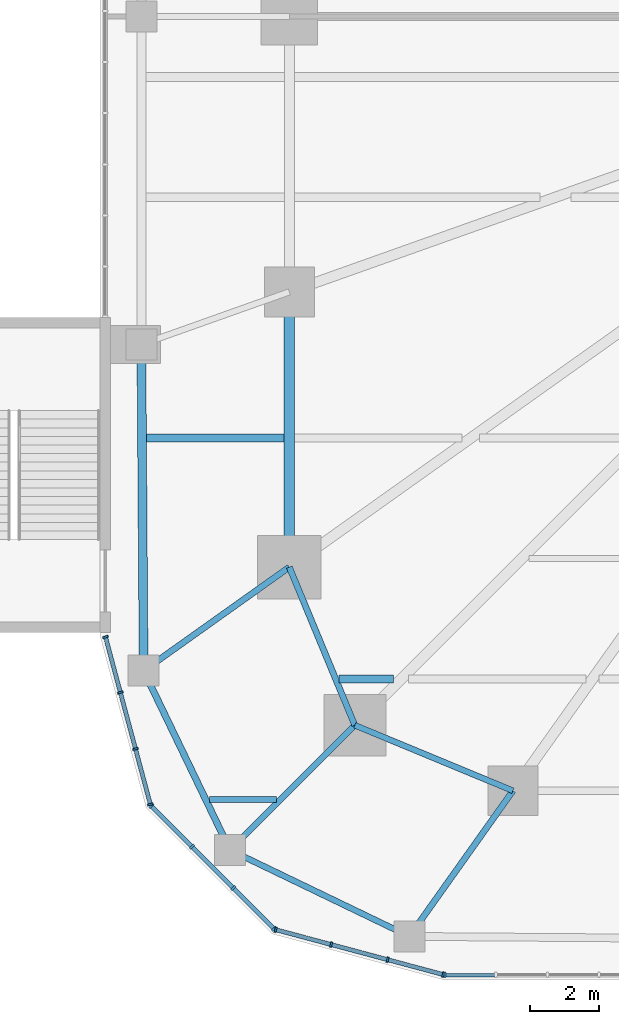
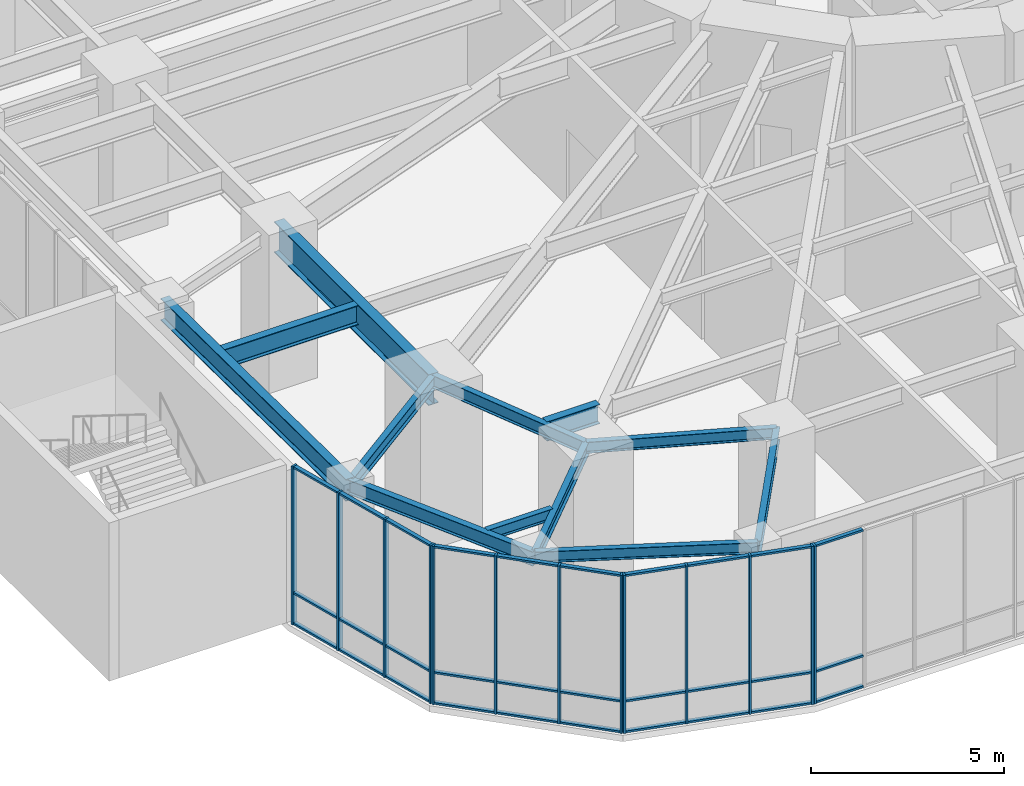
# One storey, part 2 of 24: 43 members, 12 beams, 4 elements without a shape of their own.
"""IFC4 building model written with IfcOpenShell, lengths in metres."""

from ifc_helpers import new_model, si_unit, direction, frame, origin, origin_2d, place, context, subcontext, project, spatial, rectangle, i_section, extrude, material, material_profile, profile_set, type_object, element, aggregate, save


model = new_model("IFC4")

# Units and contexts
model_context = context("Model", 3, precision=1e-05, world=origin(), true_north=direction((0.0, 1.0)))
body_context = subcontext(model_context, "Body", "Model", "MODEL_VIEW")
ifc_project = project(units=[si_unit("LENGTHUNIT", "METRE"), si_unit("AREAUNIT", "SQUARE_METRE"), si_unit("VOLUMEUNIT", "CUBIC_METRE"), si_unit("PLANEANGLEUNIT", "RADIAN"), si_unit("MASSUNIT", "GRAM", prefix="KILO")], contexts=[model_context])

# Site, building, storey
site_placement = place(None, origin())
site = spatial("IfcSite", under=ifc_project, at=site_placement, CompositionType="ELEMENT")
building_placement = place(site_placement, origin())
building = spatial("IfcBuilding", under=site, at=building_placement, Name="Nakasero Lantern House", CompositionType="ELEMENT")
storey_placement = place(building_placement, frame((0.0, 0.0, 6.0)))
storey = spatial("IfcBuildingStorey", under=building, at=storey_placement, Name="L01", CompositionType="ELEMENT", Elevation=6.0)

# Beams
ifc_material_1 = material(Name="Steel S355", Category="steel")
ifc_material_profile_1 = material_profile(ifc_material_1, i_section(OverallWidth=0.17138671875, OverallDepth=0.35498046875, WebThickness=0.00732421875, FlangeThickness=0.011474609375, FilletRadius=0.01025390625, at=origin_2d()), Name="UB 356x171x51")
ifc_profile_set_1 = profile_set([ifc_material_profile_1], Name="Steel S355")
beam_type_1 = type_object("IfcBeamType", Name="Infill beam UB 356x171x51", PredefinedType="JOIST", material=ifc_profile_set_1)
beam_1_placement = place(storey_placement, frame((-24.82666015625, -22.75, 4.62255859375), z_axis=(1.0, 0.0, 0.0), x_axis=(0.0, 1.0, 0.0)))
element("IfcBeam", 1, at=beam_1_placement, inside=storey, type_object=beam_type_1, Name="Infill beam L02 02.1", PredefinedType="JOIST", context=body_context, shape_type="SweptSolid", body=[
    extrude(i_section(OverallWidth=0.17138671875, OverallDepth=0.35498046875, WebThickness=0.00732421875, FlangeThickness=0.011474609375, FilletRadius=0.01025390625, at=origin_2d()), origin(), (0.0, 0.0, 1.0), 1.950927734375),
])
ifc_material_2 = material(Name="Steel S355", Category="steel")
ifc_material_profile_2 = material_profile(ifc_material_2, i_section(OverallWidth=0.22900390625, OverallDepth=0.6123046875, WebThickness=0.011962890625, FlangeThickness=0.01953125, FilletRadius=0.0126953125, at=origin_2d()), Name="UB 610x229x125")
ifc_profile_set_2 = profile_set([ifc_material_profile_2], Name="Steel S355")
beam_type_2 = type_object("IfcBeamType", Name="Infill beam UB 610x229x125", PredefinedType="JOIST", material=ifc_profile_set_2)
beam_2_placement = place(storey_placement, frame((-21.0576171875, -19.25, 4.493896484375), z_axis=(1.0, 0.0, 0.0), x_axis=(0.0, 1.0, 0.0)))
element("IfcBeam", 2, at=beam_2_placement, inside=storey, type_object=beam_type_2, Name="Infill beam L02 03.1", PredefinedType="JOIST", context=body_context, shape_type="SweptSolid", body=[
    extrude(i_section(OverallWidth=0.22900390625, OverallDepth=0.6123046875, WebThickness=0.011962890625, FlangeThickness=0.01953125, FilletRadius=0.0126953125, at=origin_2d()), origin(), (0.0, 0.0, 1.0), 1.591552734375),
])
beam_3_placement = place(storey_placement, frame((-26.653076171875, -12.25, 4.493896484375), z_axis=(1.0, 0.0, 0.0), x_axis=(0.0, 1.0, 0.0)))
element("IfcBeam", 3, at=beam_3_placement, inside=storey, type_object=beam_type_2, Name="Infill beam L02 05.1", PredefinedType="JOIST", context=body_context, shape_type="SweptSolid", body=[
    extrude(i_section(OverallWidth=0.22900390625, OverallDepth=0.6123046875, WebThickness=0.011962890625, FlangeThickness=0.01953125, FilletRadius=0.0126953125, at=origin_2d()), origin(), (0.0, 0.0, 1.0), 4.003173828125),
])

# Curtain wall, members
ifc_material_3 = material(Name="Aluminium 6063-T6 and glass", Category="aluminium")
curtain_wall_type = type_object("IfcCurtainWallType", Name="Podium curtain wall CW-2", PredefinedType="USERDEFINED", material=ifc_material_3)
curtain_wall_1_placement = place(storey_placement, origin())
curtain_wall_1 = element("IfcCurtainWall", 4, at=curtain_wall_1_placement, inside=storey, type_object=curtain_wall_type, Name="Curtain wall CW-2 L01", ObjectType="STICK CURTAIN WALL", PredefinedType="USERDEFINED")
ifc_material_4 = material(Name="Aluminium 6063-T6", Category="aluminium")
ifc_material_profile_3 = material_profile(ifc_material_4, rectangle(XDim=0.06005859375, YDim=0.159912109375, at=origin_2d()), Name="CW-2 mullion 60x160")
ifc_profile_set_3 = profile_set([ifc_material_profile_3], Name="Aluminium 6063-T6")
member_type_1 = type_object("IfcMemberType", Name="Mullion CW-2", PredefinedType="MULLION", material=ifc_profile_set_3)
member_1_placement = place(storey_placement, frame((-27.84228515625, -18.029052734375, 0.0), z_axis=(0.0, 0.0, 1.0), x_axis=(0.258819045103, -0.965925826289, 0.0)))
member_1 = element("IfcMember", 5, at=member_1_placement, type_object=member_type_1, Name="CW-2 mullion 1", PredefinedType="MULLION", context=body_context, shape_type="SweptSolid", body=[
    extrude(rectangle(XDim=0.06005859375, YDim=0.159912109375, at=origin_2d()), origin(), (0.0, 0.0, 1.0), 5.0),
])
member_2_placement = place(storey_placement, frame((-27.41015625, -19.6416015625, 0.0), z_axis=(0.0, 0.0, 1.0), x_axis=(0.258819045103, -0.965925826289, 0.0)))
member_2 = element("IfcMember", 6, at=member_2_placement, type_object=member_type_1, Name="CW-2 mullion 2", PredefinedType="MULLION", context=body_context, shape_type="SweptSolid", body=[
    extrude(rectangle(XDim=0.06005859375, YDim=0.159912109375, at=origin_2d()), origin(), (0.0, 0.0, 1.0), 5.0),
])
member_3_placement = place(storey_placement, frame((-26.97021484375, -21.283447265625, 0.0), z_axis=(0.0, 0.0, 1.0), x_axis=(0.258819045103, -0.965925826289, 0.0)))
member_3 = element("IfcMember", 7, at=member_3_placement, type_object=member_type_1, Name="CW-2 mullion 3", PredefinedType="MULLION", context=body_context, shape_type="SweptSolid", body=[
    extrude(rectangle(XDim=0.06005859375, YDim=0.159912109375, at=origin_2d()), origin(), (0.0, 0.0, 1.0), 5.0),
])
member_4_placement = place(storey_placement, frame((-26.5380859375, -22.89599609375, 0.0), z_axis=(0.0, 0.0, 1.0), x_axis=(0.258819045103, -0.965925826289, 0.0)))
member_4 = element("IfcMember", 8, at=member_4_placement, type_object=member_type_1, Name="CW-2 mullion 4", PredefinedType="MULLION", context=body_context, shape_type="SweptSolid", body=[
    extrude(rectangle(XDim=0.06005859375, YDim=0.159912109375, at=origin_2d()), origin(), (0.0, 0.0, 1.0), 5.0),
])

curtain_wall_2_placement = place(storey_placement, origin())
curtain_wall_2 = element("IfcCurtainWall", 9, at=curtain_wall_2_placement, inside=storey, type_object=curtain_wall_type, Name="Curtain wall CW-2 L01", ObjectType="STICK CURTAIN WALL", PredefinedType="USERDEFINED")
member_5_placement = place(storey_placement, frame((-26.509033203125, -22.9462890625, 0.0), z_axis=(0.0, 0.0, 1.0), x_axis=(0.707106781187, -0.707106781187, 0.0)))
member_5 = element("IfcMember", 10, at=member_5_placement, type_object=member_type_1, Name="CW-2 mullion 1", PredefinedType="MULLION", context=body_context, shape_type="SweptSolid", body=[
    extrude(rectangle(XDim=0.06005859375, YDim=0.159912109375, at=origin_2d()), origin(), (0.0, 0.0, 1.0), 5.0),
])
member_6_placement = place(storey_placement, frame((-25.32861328125, -24.126708984375, 0.0), z_axis=(0.0, 0.0, 1.0), x_axis=(0.707106781187, -0.707106781187, 0.0)))
member_6 = element("IfcMember", 11, at=member_6_placement, type_object=member_type_1, Name="CW-2 mullion 2", PredefinedType="MULLION", context=body_context, shape_type="SweptSolid", body=[
    extrude(rectangle(XDim=0.06005859375, YDim=0.159912109375, at=origin_2d()), origin(), (0.0, 0.0, 1.0), 5.0),
])
member_7_placement = place(storey_placement, frame((-24.126708984375, -25.32861328125, 0.0), z_axis=(0.0, 0.0, 1.0), x_axis=(0.707106781187, -0.707106781187, 0.0)))
member_7 = element("IfcMember", 12, at=member_7_placement, type_object=member_type_1, Name="CW-2 mullion 3", PredefinedType="MULLION", context=body_context, shape_type="SweptSolid", body=[
    extrude(rectangle(XDim=0.06005859375, YDim=0.159912109375, at=origin_2d()), origin(), (0.0, 0.0, 1.0), 5.0),
])
member_8_placement = place(storey_placement, frame((-22.9462890625, -26.509033203125, 0.0), z_axis=(0.0, 0.0, 1.0), x_axis=(0.707106781187, -0.707106781187, 0.0)))
member_8 = element("IfcMember", 13, at=member_8_placement, type_object=member_type_1, Name="CW-2 mullion 4", PredefinedType="MULLION", context=body_context, shape_type="SweptSolid", body=[
    extrude(rectangle(XDim=0.06005859375, YDim=0.159912109375, at=origin_2d()), origin(), (0.0, 0.0, 1.0), 5.0),
])

curtain_wall_3_placement = place(storey_placement, origin())
curtain_wall_3 = element("IfcCurtainWall", 14, at=curtain_wall_3_placement, inside=storey, type_object=curtain_wall_type, Name="Curtain wall CW-2 L01", ObjectType="STICK CURTAIN WALL", PredefinedType="USERDEFINED")
member_9_placement = place(storey_placement, frame((-22.89599609375, -26.5380859375, 0.0), z_axis=(0.0, 0.0, 1.0), x_axis=(0.965925826289, -0.258819045103, 0.0)))
member_9 = element("IfcMember", 15, at=member_9_placement, type_object=member_type_1, Name="CW-2 mullion 1", PredefinedType="MULLION", context=body_context, shape_type="SweptSolid", body=[
    extrude(rectangle(XDim=0.06005859375, YDim=0.159912109375, at=origin_2d()), origin(), (0.0, 0.0, 1.0), 5.0),
])
member_10_placement = place(storey_placement, frame((-21.283447265625, -26.97021484375, 0.0), z_axis=(0.0, 0.0, 1.0), x_axis=(0.965925826289, -0.258819045103, 0.0)))
member_10 = element("IfcMember", 16, at=member_10_placement, type_object=member_type_1, Name="CW-2 mullion 2", PredefinedType="MULLION", context=body_context, shape_type="SweptSolid", body=[
    extrude(rectangle(XDim=0.06005859375, YDim=0.159912109375, at=origin_2d()), origin(), (0.0, 0.0, 1.0), 5.0),
])
member_11_placement = place(storey_placement, frame((-19.6416015625, -27.41015625, 0.0), z_axis=(0.0, 0.0, 1.0), x_axis=(0.965925826289, -0.258819045103, 0.0)))
member_11 = element("IfcMember", 17, at=member_11_placement, type_object=member_type_1, Name="CW-2 mullion 3", PredefinedType="MULLION", context=body_context, shape_type="SweptSolid", body=[
    extrude(rectangle(XDim=0.06005859375, YDim=0.159912109375, at=origin_2d()), origin(), (0.0, 0.0, 1.0), 5.0),
])
member_12_placement = place(storey_placement, frame((-18.029052734375, -27.84228515625, 0.0), z_axis=(0.0, 0.0, 1.0), x_axis=(0.965925826289, -0.258819045103, 0.0)))
member_12 = element("IfcMember", 18, at=member_12_placement, type_object=member_type_1, Name="CW-2 mullion 4", PredefinedType="MULLION", context=body_context, shape_type="SweptSolid", body=[
    extrude(rectangle(XDim=0.06005859375, YDim=0.159912109375, at=origin_2d()), origin(), (0.0, 0.0, 1.0), 5.0),
])

# Curtain wall, member
curtain_wall_4_placement = place(storey_placement, origin())
curtain_wall_4 = element("IfcCurtainWall", 19, at=curtain_wall_4_placement, inside=storey, type_object=curtain_wall_type, Name="Curtain wall CW-2 L01", ObjectType="STICK CURTAIN WALL", PredefinedType="USERDEFINED")
member_13_placement = place(storey_placement, frame((-17.969970703125, -27.85009765625, 0.0), z_axis=(0.0, 0.0, 1.0), x_axis=(1.0, 0.0, 0.0)))
member_13 = element("IfcMember", 20, at=member_13_placement, type_object=member_type_1, Name="CW-2 mullion 1", PredefinedType="MULLION", context=body_context, shape_type="SweptSolid", body=[
    extrude(rectangle(XDim=0.06005859375, YDim=0.159912109375, at=origin_2d()), origin(), (0.0, 0.0, 1.0), 5.0),
])

# Beams
ifc_material_5 = material(Name="Steel S355", Category="steel")
ifc_material_profile_4 = material_profile(ifc_material_5, i_section(OverallWidth=0.177978515625, OverallDepth=0.406494140625, WebThickness=0.0078125, FlangeThickness=0.0126953125, FilletRadius=0.01025390625, at=origin_2d()), Name="UB 406x178x60")
ifc_profile_set_4 = profile_set([ifc_material_profile_4], Name="Steel S355")
beam_type_3 = type_object("IfcBeamType", Name="Primary beam UB 406x178x60, span to 6 m", PredefinedType="BEAM", material=ifc_profile_set_4)
beam_4_placement = place(storey_placement, frame((-24.22265625, -24.22265625, 4.5966796875), z_axis=(0.707106781187, 0.707106781187, 0.0), x_axis=(-0.707106781187, 0.707106781187, 0.0)))
element("IfcBeam", 21, at=beam_4_placement, inside=storey, type_object=beam_type_3, Name="Primary beam L02 POD-C18", PredefinedType="BEAM", context=body_context, shape_type="SweptSolid", body=[
    extrude(i_section(OverallWidth=0.177978515625, OverallDepth=0.406494140625, WebThickness=0.0078125, FlangeThickness=0.0126953125, FilletRadius=0.01025390625, at=origin_2d()), origin(), (0.0, 0.0, 1.0), 5.128662109375),
])
ifc_material_6 = material(Name="Steel S355", Category="steel")
ifc_material_profile_5 = material_profile(ifc_material_6, i_section(OverallWidth=0.179443359375, OverallDepth=0.412841796875, WebThickness=0.009521484375, FlangeThickness=0.01611328125, FilletRadius=0.01025390625, at=origin_2d()), Name="UB 406x178x74")
ifc_profile_set_5 = profile_set([ifc_material_profile_5], Name="Steel S355")
beam_type_4 = type_object("IfcBeamType", Name="Primary beam UB 406x178x74, span to 6 m", PredefinedType="BEAM", material=ifc_profile_set_5)
for number, where, z_axis, x_axis, name in (
    (22, (-26.733642578125, -19.0107421875, 4.593505859375), (0.814941514044, 0.57954320692, 0.0), (-0.57954320692, 0.814941514044, 0.0), "Primary beam L02 POD-C17"),
    (23, (-19.0107421875, -26.733642578125, 4.593505859375), (0.57954320692, 0.814941514044, 0.0), (-0.814941514044, 0.57954320692, 0.0), "Primary beam L02 POD-C19"),
):
    element("IfcBeam", number, at=place(storey_placement, frame(where, z_axis=z_axis, x_axis=x_axis)), inside=storey, type_object=beam_type_4, Name=name, PredefinedType="BEAM", context=body_context, shape_type="SweptSolid", body=[
        extrude(i_section(OverallWidth=0.179443359375, OverallDepth=0.412841796875, WebThickness=0.009521484375, FlangeThickness=0.01611328125, FilletRadius=0.01025390625, at=origin_2d()), origin(), (0.0, 0.0, 1.0), 5.195068359375),
    ])
ifc_material_7 = material(Name="Steel S355", Category="steel")
ifc_material_profile_6 = material_profile(ifc_material_7, i_section(OverallWidth=0.300048828125, OverallDepth=0.97021484375, WebThickness=0.01611328125, FlangeThickness=0.02099609375, FilletRadius=0.030029296875, at=origin_2d()), Name="UB 1016x305x222")
ifc_profile_set_6 = profile_set([ifc_material_profile_6], Name="Steel S355")
beam_type_5 = type_object("IfcBeamType", Name="Ring beam UB 1016x305x222", PredefinedType="BEAM", material=ifc_profile_set_6)
beam_5_placement = place(storey_placement, frame((-22.5, -8.0, 4.31494140625), z_axis=(0.0, -1.0, 0.0), x_axis=(1.0, 0.0, 0.0)))
element("IfcBeam", 24, at=beam_5_placement, inside=storey, type_object=beam_type_5, Name="Ring beam L02 B1-C16", PredefinedType="BEAM", context=body_context, shape_type="SweptSolid", body=[
    extrude(i_section(OverallWidth=0.300048828125, OverallDepth=0.97021484375, WebThickness=0.01611328125, FlangeThickness=0.02099609375, FilletRadius=0.030029296875, at=origin_2d()), origin(), (0.0, 0.0, 1.0), 8.0),
])
ifc_material_8 = material(Name="Steel S355", Category="steel")
ifc_material_profile_7 = material_profile(ifc_material_8, i_section(OverallWidth=0.17138671875, OverallDepth=0.35498046875, WebThickness=0.00732421875, FlangeThickness=0.011474609375, FilletRadius=0.01025390625, at=origin_2d()), Name="UB 356x171x51")
ifc_profile_set_7 = profile_set([ifc_material_profile_7], Name="Steel S355")
beam_type_6 = type_object("IfcBeamType", Name="Ring beam UB 356x171x51", PredefinedType="BEAM", material=ifc_profile_set_7)
beam_6_placement = place(storey_placement, frame((-20.59619140625, -20.59619140625, 4.62255859375), z_axis=(0.923879264016, -0.382684080569, 0.0), x_axis=(0.382684080569, 0.923879264016, 0.0)))
element("IfcBeam", 25, at=beam_6_placement, inside=storey, type_object=beam_type_6, Name="Ring beam L02 B1-C18", PredefinedType="BEAM", context=body_context, shape_type="SweptSolid", body=[
    extrude(i_section(OverallWidth=0.17138671875, OverallDepth=0.35498046875, WebThickness=0.00732421875, FlangeThickness=0.011474609375, FilletRadius=0.01025390625, at=origin_2d()), origin(), (0.0, 0.0, 1.0), 4.974853515625),
])
beam_7_placement = place(storey_placement, frame((-24.22265625, -24.22265625, 4.62255859375), z_axis=(0.900897176145, -0.434032577134, 0.0), x_axis=(0.434032577134, 0.900897176145, 0.0)))
element("IfcBeam", 26, at=beam_7_placement, inside=storey, type_object=beam_type_6, Name="Ring beam L02 POD-C18", PredefinedType="BEAM", context=body_context, shape_type="SweptSolid", body=[
    extrude(i_section(OverallWidth=0.17138671875, OverallDepth=0.35498046875, WebThickness=0.00732421875, FlangeThickness=0.011474609375, FilletRadius=0.01025390625, at=origin_2d()), origin(), (0.0, 0.0, 1.0), 5.78515625),
])
ifc_material_9 = material(Name="Steel S355", Category="steel")
ifc_material_profile_8 = material_profile(ifc_material_9, i_section(OverallWidth=0.177978515625, OverallDepth=0.406494140625, WebThickness=0.0078125, FlangeThickness=0.0126953125, FilletRadius=0.01025390625, at=origin_2d()), Name="UB 406x178x60")
ifc_profile_set_8 = profile_set([ifc_material_profile_8], Name="Steel S355")
beam_type_7 = type_object("IfcBeamType", Name="Ring beam UB 406x178x60", PredefinedType="BEAM", material=ifc_profile_set_8)
beam_8_placement = place(storey_placement, frame((-22.5, -16.0, 4.5966796875), z_axis=(0.382684080569, -0.923879264016, 0.0), x_axis=(0.923879264016, 0.382684080569, 0.0)))
element("IfcBeam", 27, at=beam_8_placement, inside=storey, type_object=beam_type_7, Name="Ring beam L02 B1-C17", PredefinedType="BEAM", context=body_context, shape_type="SweptSolid", body=[
    extrude(i_section(OverallWidth=0.177978515625, OverallDepth=0.406494140625, WebThickness=0.0078125, FlangeThickness=0.0126953125, FilletRadius=0.01025390625, at=origin_2d()), origin(), (0.0, 0.0, 1.0), 4.974853515625),
])
ifc_material_10 = material(Name="Steel S355", Category="steel")
ifc_material_profile_9 = material_profile(ifc_material_10, i_section(OverallWidth=0.18994140625, OverallDepth=0.453369140625, WebThickness=0.008544921875, FlangeThickness=0.0126953125, FilletRadius=0.01025390625, at=origin_2d()), Name="UB 457x191x67")
ifc_profile_set_9 = profile_set([ifc_material_profile_9], Name="Steel S355")
beam_type_8 = type_object("IfcBeamType", Name="Ring beam UB 457x191x67", PredefinedType="BEAM", material=ifc_profile_set_9)
beam_9_placement = place(storey_placement, frame((-26.733642578125, -19.0107421875, 4.5732421875), z_axis=(0.434032577134, -0.900897176145, 0.0), x_axis=(0.900897176145, 0.434032577134, 0.0)))
element("IfcBeam", 28, at=beam_9_placement, inside=storey, type_object=beam_type_8, Name="Ring beam L02 POD-C17", PredefinedType="BEAM", context=body_context, shape_type="SweptSolid", body=[
    extrude(i_section(OverallWidth=0.18994140625, OverallDepth=0.453369140625, WebThickness=0.008544921875, FlangeThickness=0.0126953125, FilletRadius=0.01025390625, at=origin_2d()), origin(), (0.0, 0.0, 1.0), 5.78515625),
])
ifc_material_11 = material(Name="Steel S355", Category="steel")
ifc_material_profile_10 = material_profile(ifc_material_11, i_section(OverallWidth=0.255859375, OverallDepth=0.69287109375, WebThickness=0.014404296875, FlangeThickness=0.023681640625, FilletRadius=0.01513671875, at=origin_2d()), Name="UB 686x254x170")
ifc_profile_set_10 = profile_set([ifc_material_profile_10], Name="Steel S355")
beam_type_9 = type_object("IfcBeamType", Name="Ring beam UB 686x254x170", PredefinedType="BEAM", material=ifc_profile_set_10)
beam_10_placement = place(storey_placement, frame((-26.800048828125, -9.52880859375, 4.45361328125), z_axis=(0.007003278482, -0.999975476745, 0.0), x_axis=(0.999975476745, 0.007003278482, 0.0)))
element("IfcBeam", 29, at=beam_10_placement, inside=storey, type_object=beam_type_9, Name="Ring beam L02 POD-C16", PredefinedType="BEAM", context=body_context, shape_type="SweptSolid", body=[
    extrude(i_section(OverallWidth=0.255859375, OverallDepth=0.69287109375, WebThickness=0.014404296875, FlangeThickness=0.023681640625, FilletRadius=0.01513671875, at=origin_2d()), origin(), (0.0, 0.0, 1.0), 9.482177734375),
])

# Member
ifc_material_12 = material(Name="Aluminium 6063-T6", Category="aluminium")
ifc_material_profile_11 = material_profile(ifc_material_12, rectangle(XDim=0.06005859375, YDim=0.1201171875, at=origin_2d()), Name="CW-2 transom 60x120")
ifc_profile_set_11 = profile_set([ifc_material_profile_11], Name="Aluminium 6063-T6")
member_type_2 = type_object("IfcMemberType", Name="Transom CW-2", PredefinedType="USERDEFINED", material=ifc_profile_set_11)
member_14_placement = place(storey_placement, frame((-27.83447265625, -18.057861328125, 0.030029296875), z_axis=(0.258738612203, -0.96594737463, 0.0), x_axis=(0.0, 0.0, 1.0)))
member_14 = element("IfcMember", 30, at=member_14_placement, type_object=member_type_2, Name="CW-2 transom 1.1", ObjectType="TRANSOM", PredefinedType="USERDEFINED", context=body_context, shape_type="SweptSolid", body=[
    extrude(rectangle(XDim=0.06005859375, YDim=0.1201171875, at=origin_2d()), origin(), (0.0, 0.0, 1.0), 1.60986328125),
])

member_15_placement = place(storey_placement, frame((-27.83447265625, -18.057861328125, 1.0), z_axis=(0.258738612203, -0.96594737463, 0.0), x_axis=(0.0, 0.0, 1.0)))
member_15 = element("IfcMember", 31, at=member_15_placement, type_object=member_type_2, Name="CW-2 transom 1.2", ObjectType="TRANSOM", PredefinedType="USERDEFINED", context=body_context, shape_type="SweptSolid", body=[
    extrude(rectangle(XDim=0.06005859375, YDim=0.1201171875, at=origin_2d()), origin(), (0.0, 0.0, 1.0), 1.60986328125),
])

member_16_placement = place(storey_placement, frame((-27.83447265625, -18.057861328125, 4.969970703125), z_axis=(0.258738612203, -0.96594737463, 0.0), x_axis=(0.0, 0.0, 1.0)))
member_16 = element("IfcMember", 32, at=member_16_placement, type_object=member_type_2, Name="CW-2 transom 1.3", ObjectType="TRANSOM", PredefinedType="USERDEFINED", context=body_context, shape_type="SweptSolid", body=[
    extrude(rectangle(XDim=0.06005859375, YDim=0.1201171875, at=origin_2d()), origin(), (0.0, 0.0, 1.0), 1.60986328125),
])

member_17_placement = place(storey_placement, frame((-27.40234375, -19.670654296875, 0.030029296875), z_axis=(0.258793147214, -0.965932765235, 0.0), x_axis=(0.0, 0.0, 1.0)))
member_17 = element("IfcMember", 33, at=member_17_placement, type_object=member_type_2, Name="CW-2 transom 2.1", ObjectType="TRANSOM", PredefinedType="USERDEFINED", context=body_context, shape_type="SweptSolid", body=[
    extrude(rectangle(XDim=0.06005859375, YDim=0.1201171875, at=origin_2d()), origin(), (0.0, 0.0, 1.0), 1.6396484375),
])

member_18_placement = place(storey_placement, frame((-27.40234375, -19.670654296875, 1.0), z_axis=(0.258793147214, -0.965932765235, 0.0), x_axis=(0.0, 0.0, 1.0)))
member_18 = element("IfcMember", 34, at=member_18_placement, type_object=member_type_2, Name="CW-2 transom 2.2", ObjectType="TRANSOM", PredefinedType="USERDEFINED", context=body_context, shape_type="SweptSolid", body=[
    extrude(rectangle(XDim=0.06005859375, YDim=0.1201171875, at=origin_2d()), origin(), (0.0, 0.0, 1.0), 1.6396484375),
])

member_19_placement = place(storey_placement, frame((-27.40234375, -19.670654296875, 4.969970703125), z_axis=(0.258793147214, -0.965932765235, 0.0), x_axis=(0.0, 0.0, 1.0)))
member_19 = element("IfcMember", 35, at=member_19_placement, type_object=member_type_2, Name="CW-2 transom 2.3", ObjectType="TRANSOM", PredefinedType="USERDEFINED", context=body_context, shape_type="SweptSolid", body=[
    extrude(rectangle(XDim=0.06005859375, YDim=0.1201171875, at=origin_2d()), origin(), (0.0, 0.0, 1.0), 1.6396484375),
])

member_20_placement = place(storey_placement, frame((-26.96240234375, -21.312255859375, 0.030029296875), z_axis=(0.258776522595, -0.965937219158, 0.0), x_axis=(0.0, 0.0, 1.0)))
member_20 = element("IfcMember", 36, at=member_20_placement, type_object=member_type_2, Name="CW-2 transom 3.1", ObjectType="TRANSOM", PredefinedType="USERDEFINED", context=body_context, shape_type="SweptSolid", body=[
    extrude(rectangle(XDim=0.06005859375, YDim=0.1201171875, at=origin_2d()), origin(), (0.0, 0.0, 1.0), 1.609619140625),
])

member_21_placement = place(storey_placement, frame((-26.96240234375, -21.312255859375, 1.0), z_axis=(0.258776522595, -0.965937219158, 0.0), x_axis=(0.0, 0.0, 1.0)))
member_21 = element("IfcMember", 37, at=member_21_placement, type_object=member_type_2, Name="CW-2 transom 3.2", ObjectType="TRANSOM", PredefinedType="USERDEFINED", context=body_context, shape_type="SweptSolid", body=[
    extrude(rectangle(XDim=0.06005859375, YDim=0.1201171875, at=origin_2d()), origin(), (0.0, 0.0, 1.0), 1.609619140625),
])

member_22_placement = place(storey_placement, frame((-26.96240234375, -21.312255859375, 4.969970703125), z_axis=(0.258776522595, -0.965937219158, 0.0), x_axis=(0.0, 0.0, 1.0)))
member_22 = element("IfcMember", 38, at=member_22_placement, type_object=member_type_2, Name="CW-2 transom 3.3", ObjectType="TRANSOM", PredefinedType="USERDEFINED", context=body_context, shape_type="SweptSolid", body=[
    extrude(rectangle(XDim=0.06005859375, YDim=0.1201171875, at=origin_2d()), origin(), (0.0, 0.0, 1.0), 1.609619140625),
])

aggregate(curtain_wall_1, [member_1, member_2, member_3, member_4, member_14, member_15, member_16, member_17, member_18, member_19, member_20, member_21, member_22])

member_23_placement = place(storey_placement, frame((-26.488037109375, -22.967529296875, 0.030029296875), z_axis=(0.707182622531, -0.707030931707, 0.0), x_axis=(0.0, 0.0, 1.0)))
member_23 = element("IfcMember", 39, at=member_23_placement, type_object=member_type_2, Name="CW-2 transom 1.1", ObjectType="TRANSOM", PredefinedType="USERDEFINED", context=body_context, shape_type="SweptSolid", body=[
    extrude(rectangle(XDim=0.06005859375, YDim=0.1201171875, at=origin_2d()), origin(), (0.0, 0.0, 1.0), 1.609375),
])

member_24_placement = place(storey_placement, frame((-26.488037109375, -22.967529296875, 1.0), z_axis=(0.707182622531, -0.707030931707, 0.0), x_axis=(0.0, 0.0, 1.0)))
member_24 = element("IfcMember", 40, at=member_24_placement, type_object=member_type_2, Name="CW-2 transom 1.2", ObjectType="TRANSOM", PredefinedType="USERDEFINED", context=body_context, shape_type="SweptSolid", body=[
    extrude(rectangle(XDim=0.06005859375, YDim=0.1201171875, at=origin_2d()), origin(), (0.0, 0.0, 1.0), 1.609375),
])

member_25_placement = place(storey_placement, frame((-26.488037109375, -22.967529296875, 4.969970703125), z_axis=(0.707182622531, -0.707030931707, 0.0), x_axis=(0.0, 0.0, 1.0)))
member_25 = element("IfcMember", 41, at=member_25_placement, type_object=member_type_2, Name="CW-2 transom 1.3", ObjectType="TRANSOM", PredefinedType="USERDEFINED", context=body_context, shape_type="SweptSolid", body=[
    extrude(rectangle(XDim=0.06005859375, YDim=0.1201171875, at=origin_2d()), origin(), (0.0, 0.0, 1.0), 1.609375),
])

member_26_placement = place(storey_placement, frame((-25.307373046875, -24.14794921875, 0.030029296875), z_axis=(0.707106781187, -0.707106781187, 0.0), x_axis=(0.0, 0.0, 1.0)))
member_26 = element("IfcMember", 42, at=member_26_placement, type_object=member_type_2, Name="CW-2 transom 2.1", ObjectType="TRANSOM", PredefinedType="USERDEFINED", context=body_context, shape_type="SweptSolid", body=[
    extrude(rectangle(XDim=0.06005859375, YDim=0.1201171875, at=origin_2d()), origin(), (0.0, 0.0, 1.0), 1.6396484375),
])

member_27_placement = place(storey_placement, frame((-25.307373046875, -24.14794921875, 1.0), z_axis=(0.707106781187, -0.707106781187, 0.0), x_axis=(0.0, 0.0, 1.0)))
member_27 = element("IfcMember", 43, at=member_27_placement, type_object=member_type_2, Name="CW-2 transom 2.2", ObjectType="TRANSOM", PredefinedType="USERDEFINED", context=body_context, shape_type="SweptSolid", body=[
    extrude(rectangle(XDim=0.06005859375, YDim=0.1201171875, at=origin_2d()), origin(), (0.0, 0.0, 1.0), 1.6396484375),
])

member_28_placement = place(storey_placement, frame((-25.307373046875, -24.14794921875, 4.969970703125), z_axis=(0.707106781187, -0.707106781187, 0.0), x_axis=(0.0, 0.0, 1.0)))
member_28 = element("IfcMember", 44, at=member_28_placement, type_object=member_type_2, Name="CW-2 transom 2.3", ObjectType="TRANSOM", PredefinedType="USERDEFINED", context=body_context, shape_type="SweptSolid", body=[
    extrude(rectangle(XDim=0.06005859375, YDim=0.1201171875, at=origin_2d()), origin(), (0.0, 0.0, 1.0), 1.6396484375),
])

member_29_placement = place(storey_placement, frame((-24.10546875, -25.349853515625, 0.030029296875), z_axis=(0.707030931707, -0.707182622531, 0.0), x_axis=(0.0, 0.0, 1.0)))
member_29 = element("IfcMember", 45, at=member_29_placement, type_object=member_type_2, Name="CW-2 transom 3.1", ObjectType="TRANSOM", PredefinedType="USERDEFINED", context=body_context, shape_type="SweptSolid", body=[
    extrude(rectangle(XDim=0.06005859375, YDim=0.1201171875, at=origin_2d()), origin(), (0.0, 0.0, 1.0), 1.609375),
])

member_30_placement = place(storey_placement, frame((-24.10546875, -25.349853515625, 1.0), z_axis=(0.707030931707, -0.707182622531, 0.0), x_axis=(0.0, 0.0, 1.0)))
member_30 = element("IfcMember", 46, at=member_30_placement, type_object=member_type_2, Name="CW-2 transom 3.2", ObjectType="TRANSOM", PredefinedType="USERDEFINED", context=body_context, shape_type="SweptSolid", body=[
    extrude(rectangle(XDim=0.06005859375, YDim=0.1201171875, at=origin_2d()), origin(), (0.0, 0.0, 1.0), 1.609375),
])

member_31_placement = place(storey_placement, frame((-24.10546875, -25.349853515625, 4.969970703125), z_axis=(0.707030931707, -0.707182622531, 0.0), x_axis=(0.0, 0.0, 1.0)))
member_31 = element("IfcMember", 47, at=member_31_placement, type_object=member_type_2, Name="CW-2 transom 3.3", ObjectType="TRANSOM", PredefinedType="USERDEFINED", context=body_context, shape_type="SweptSolid", body=[
    extrude(rectangle(XDim=0.06005859375, YDim=0.1201171875, at=origin_2d()), origin(), (0.0, 0.0, 1.0), 1.609375),
])

aggregate(curtain_wall_2, [member_5, member_6, member_7, member_8, member_23, member_24, member_25, member_26, member_27, member_28, member_29, member_30, member_31])

member_32_placement = place(storey_placement, frame((-22.866943359375, -26.5458984375, 0.030029296875), z_axis=(0.965937219158, -0.258776522595, 0.0), x_axis=(0.0, 0.0, 1.0)))
member_32 = element("IfcMember", 48, at=member_32_placement, type_object=member_type_2, Name="CW-2 transom 1.1", ObjectType="TRANSOM", PredefinedType="USERDEFINED", context=body_context, shape_type="SweptSolid", body=[
    extrude(rectangle(XDim=0.06005859375, YDim=0.1201171875, at=origin_2d()), origin(), (0.0, 0.0, 1.0), 1.609619140625),
])

member_33_placement = place(storey_placement, frame((-22.866943359375, -26.5458984375, 1.0), z_axis=(0.965937219158, -0.258776522595, 0.0), x_axis=(0.0, 0.0, 1.0)))
member_33 = element("IfcMember", 49, at=member_33_placement, type_object=member_type_2, Name="CW-2 transom 1.2", ObjectType="TRANSOM", PredefinedType="USERDEFINED", context=body_context, shape_type="SweptSolid", body=[
    extrude(rectangle(XDim=0.06005859375, YDim=0.1201171875, at=origin_2d()), origin(), (0.0, 0.0, 1.0), 1.609619140625),
])

member_34_placement = place(storey_placement, frame((-22.866943359375, -26.5458984375, 4.969970703125), z_axis=(0.965937219158, -0.258776522595, 0.0), x_axis=(0.0, 0.0, 1.0)))
member_34 = element("IfcMember", 50, at=member_34_placement, type_object=member_type_2, Name="CW-2 transom 1.3", ObjectType="TRANSOM", PredefinedType="USERDEFINED", context=body_context, shape_type="SweptSolid", body=[
    extrude(rectangle(XDim=0.06005859375, YDim=0.1201171875, at=origin_2d()), origin(), (0.0, 0.0, 1.0), 1.609619140625),
])

member_35_placement = place(storey_placement, frame((-21.25439453125, -26.97802734375, 0.030029296875), z_axis=(0.965932765235, -0.258793147214, 0.0), x_axis=(0.0, 0.0, 1.0)))
member_35 = element("IfcMember", 51, at=member_35_placement, type_object=member_type_2, Name="CW-2 transom 2.1", ObjectType="TRANSOM", PredefinedType="USERDEFINED", context=body_context, shape_type="SweptSolid", body=[
    extrude(rectangle(XDim=0.06005859375, YDim=0.1201171875, at=origin_2d()), origin(), (0.0, 0.0, 1.0), 1.6396484375),
])

member_36_placement = place(storey_placement, frame((-21.25439453125, -26.97802734375, 1.0), z_axis=(0.965932765235, -0.258793147214, 0.0), x_axis=(0.0, 0.0, 1.0)))
member_36 = element("IfcMember", 52, at=member_36_placement, type_object=member_type_2, Name="CW-2 transom 2.2", ObjectType="TRANSOM", PredefinedType="USERDEFINED", context=body_context, shape_type="SweptSolid", body=[
    extrude(rectangle(XDim=0.06005859375, YDim=0.1201171875, at=origin_2d()), origin(), (0.0, 0.0, 1.0), 1.6396484375),
])

member_37_placement = place(storey_placement, frame((-21.25439453125, -26.97802734375, 4.969970703125), z_axis=(0.965932765235, -0.258793147214, 0.0), x_axis=(0.0, 0.0, 1.0)))
member_37 = element("IfcMember", 53, at=member_37_placement, type_object=member_type_2, Name="CW-2 transom 2.3", ObjectType="TRANSOM", PredefinedType="USERDEFINED", context=body_context, shape_type="SweptSolid", body=[
    extrude(rectangle(XDim=0.06005859375, YDim=0.1201171875, at=origin_2d()), origin(), (0.0, 0.0, 1.0), 1.6396484375),
])

member_38_placement = place(storey_placement, frame((-19.61279296875, -27.41796875, 0.030029296875), z_axis=(0.96594737463, -0.258738612203, 0.0), x_axis=(0.0, 0.0, 1.0)))
member_38 = element("IfcMember", 54, at=member_38_placement, type_object=member_type_2, Name="CW-2 transom 3.1", ObjectType="TRANSOM", PredefinedType="USERDEFINED", context=body_context, shape_type="SweptSolid", body=[
    extrude(rectangle(XDim=0.06005859375, YDim=0.1201171875, at=origin_2d()), origin(), (0.0, 0.0, 1.0), 1.60986328125),
])

member_39_placement = place(storey_placement, frame((-19.61279296875, -27.41796875, 1.0), z_axis=(0.96594737463, -0.258738612203, 0.0), x_axis=(0.0, 0.0, 1.0)))
member_39 = element("IfcMember", 55, at=member_39_placement, type_object=member_type_2, Name="CW-2 transom 3.2", ObjectType="TRANSOM", PredefinedType="USERDEFINED", context=body_context, shape_type="SweptSolid", body=[
    extrude(rectangle(XDim=0.06005859375, YDim=0.1201171875, at=origin_2d()), origin(), (0.0, 0.0, 1.0), 1.60986328125),
])

member_40_placement = place(storey_placement, frame((-19.61279296875, -27.41796875, 4.969970703125), z_axis=(0.96594737463, -0.258738612203, 0.0), x_axis=(0.0, 0.0, 1.0)))
member_40 = element("IfcMember", 56, at=member_40_placement, type_object=member_type_2, Name="CW-2 transom 3.3", ObjectType="TRANSOM", PredefinedType="USERDEFINED", context=body_context, shape_type="SweptSolid", body=[
    extrude(rectangle(XDim=0.06005859375, YDim=0.1201171875, at=origin_2d()), origin(), (0.0, 0.0, 1.0), 1.60986328125),
])

aggregate(curtain_wall_3, [member_9, member_10, member_11, member_12, member_32, member_33, member_34, member_35, member_36, member_37, member_38, member_39, member_40])

member_41_placement = place(storey_placement, frame((-17.93994140625, -27.85009765625, 0.030029296875), z_axis=(1.0, 0.0, 0.0), x_axis=(0.0, 0.0, 1.0)))
member_41 = element("IfcMember", 57, at=member_41_placement, type_object=member_type_2, Name="CW-2 transom 1.1", ObjectType="TRANSOM", PredefinedType="USERDEFINED", context=body_context, shape_type="SweptSolid", body=[
    extrude(rectangle(XDim=0.06005859375, YDim=0.1201171875, at=origin_2d()), origin(), (0.0, 0.0, 1.0), 1.409912109375),
])

member_42_placement = place(storey_placement, frame((-17.93994140625, -27.85009765625, 1.0), z_axis=(1.0, 0.0, 0.0), x_axis=(0.0, 0.0, 1.0)))
member_42 = element("IfcMember", 58, at=member_42_placement, type_object=member_type_2, Name="CW-2 transom 1.2", ObjectType="TRANSOM", PredefinedType="USERDEFINED", context=body_context, shape_type="SweptSolid", body=[
    extrude(rectangle(XDim=0.06005859375, YDim=0.1201171875, at=origin_2d()), origin(), (0.0, 0.0, 1.0), 1.409912109375),
])

member_43_placement = place(storey_placement, frame((-17.93994140625, -27.85009765625, 4.969970703125), z_axis=(1.0, 0.0, 0.0), x_axis=(0.0, 0.0, 1.0)))
member_43 = element("IfcMember", 59, at=member_43_placement, type_object=member_type_2, Name="CW-2 transom 1.3", ObjectType="TRANSOM", PredefinedType="USERDEFINED", context=body_context, shape_type="SweptSolid", body=[
    extrude(rectangle(XDim=0.06005859375, YDim=0.1201171875, at=origin_2d()), origin(), (0.0, 0.0, 1.0), 1.409912109375),
])

aggregate(curtain_wall_4, [member_13, member_41, member_42, member_43])

save(model, "model.ifc")
